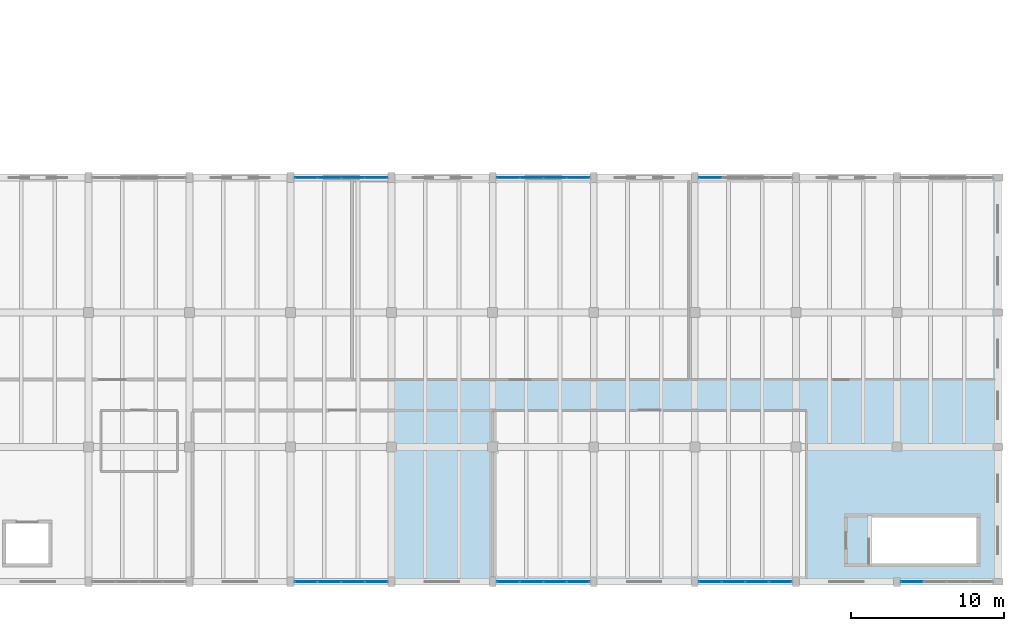
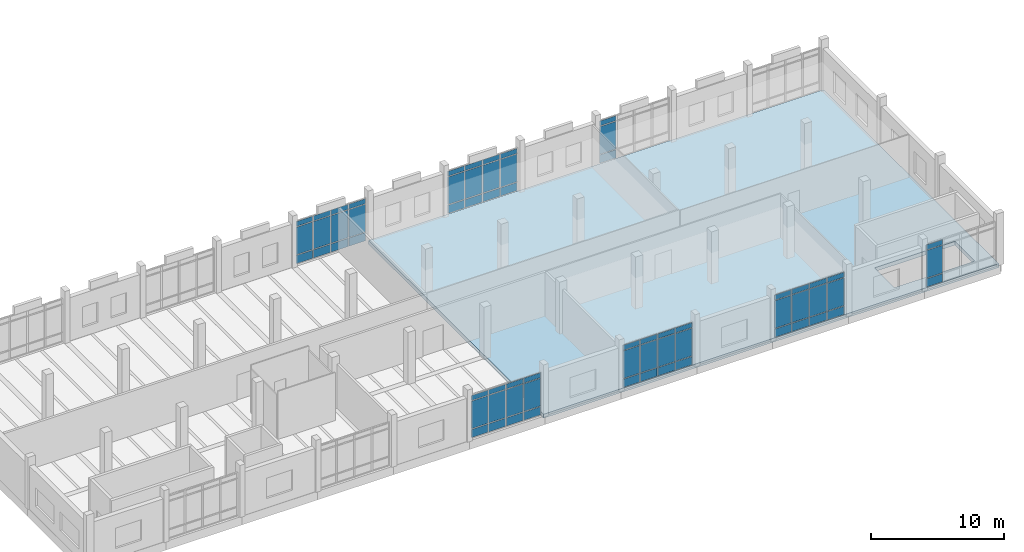
# One storey, part 38 of 76: 66 plates, 1 slab, 7 elements without a shape of their own.
"""IFC4 building model written with IfcOpenShell, lengths in metres."""

from ifc_helpers import new_model, si_unit, direction, frame, origin, origin_2d, place, context, subcontext, project, spatial, polyline, rectangle, outline, extrude, material, layer, layer_set, type_object, element, aggregate, save


model = new_model("IFC4")

# Units and contexts
model_context = context("Model", 3, precision=1e-05, world=origin(), true_north=direction((0.0, 1.0)))
body_context = subcontext(model_context, "Body", "Model", "MODEL_VIEW")
ifc_project = project(units=[si_unit("LENGTHUNIT", "METRE"), si_unit("AREAUNIT", "SQUARE_METRE"), si_unit("VOLUMEUNIT", "CUBIC_METRE"), si_unit("PLANEANGLEUNIT", "RADIAN"), si_unit("MASSUNIT", "GRAM", prefix="KILO")], contexts=[model_context])

# Site, building, storey
site_placement = place(None, origin())
site = spatial("IfcSite", under=ifc_project, at=site_placement, CompositionType="ELEMENT")
building_placement = place(site_placement, origin())
building = spatial("IfcBuilding", under=site, at=building_placement, Name="Dornvale Research Institute", CompositionType="ELEMENT")
storey_placement = place(building_placement, frame((0.0, 0.0, 15.0)))
storey = spatial("IfcBuildingStorey", under=building, at=storey_placement, Name="L03", CompositionType="ELEMENT", Elevation=15.0)

# Curtain wall, plates
ifc_material_1 = material(Name="Low-E Argon Double Insulating Glazing Unit", Category="glass")
curtain_wall_type_1 = type_object("IfcCurtainWallType", Name="UnitisedCurtainWall_V3_6150x4000", PredefinedType="USERDEFINED", material=ifc_material_1)
curtain_wall_1_placement = place(storey_placement, origin())
curtain_wall_1 = element("IfcCurtainWall", 1, at=curtain_wall_1_placement, inside=storey, type_object=curtain_wall_type_1, Name="L03 V3 unitised curtain wall CW-06 #56", ObjectType="UNITISED CURTAIN WALL", PredefinedType="USERDEFINED")
ifc_material_2 = material(Name="Insulated Ceramic-Frit Spandrel Glass Panel", Category="glass")
ifc_layer_1 = layer(ifc_material_2, 0.0419921875)
ifc_layer_set_1 = layer_set([ifc_layer_1], Name="Insulated Ceramic-Frit Spandrel Glass Panel")
plate_type_1 = type_object("IfcPlateType", Name="CurtainPanel_Spandrel_42", PredefinedType="CURTAIN_PANEL", material=ifc_layer_set_1)
plate_1_placement = place(storey_placement, frame((133.010009765625, 26.39990234375, 0.06494140625), z_axis=(0.0, 0.0, 1.0), x_axis=(1.0, 0.0, 0.0)))
plate_1 = element("IfcPlate", 2, at=plate_1_placement, type_object=plate_type_1, Name="CW-06 panel 1.1", PredefinedType="CURTAIN_PANEL", context=body_context, shape_type="SweptSolid", body=[
    extrude(rectangle(XDim=1.43994140625, YDim=0.0419921875, at=origin_2d()), origin(), (0.0, 0.0, 1.0), 0.75244140625),
])
plate_2_placement = place(storey_placement, frame((134.53125, 26.39990234375, 0.06494140625), z_axis=(0.0, 0.0, 1.0), x_axis=(1.0, 0.0, 0.0)))
plate_2 = element("IfcPlate", 3, at=plate_2_placement, type_object=plate_type_1, Name="CW-06 panel 2.1", PredefinedType="CURTAIN_PANEL", context=body_context, shape_type="SweptSolid", body=[
    extrude(rectangle(XDim=1.472412109375, YDim=0.0419921875, at=origin_2d()), origin(), (0.0, 0.0, 1.0), 0.75244140625),
])
plate_3_placement = place(storey_placement, frame((136.06884765625, 26.39990234375, 0.06494140625), z_axis=(0.0, 0.0, 1.0), x_axis=(1.0, 0.0, 0.0)))
plate_3 = element("IfcPlate", 4, at=plate_3_placement, type_object=plate_type_1, Name="CW-06 panel 3.1", PredefinedType="CURTAIN_PANEL", context=body_context, shape_type="SweptSolid", body=[
    extrude(rectangle(XDim=1.472412109375, YDim=0.0419921875, at=origin_2d()), origin(), (0.0, 0.0, 1.0), 0.75244140625),
])
plate_4_placement = place(storey_placement, frame((137.590087890625, 26.39990234375, 0.06494140625), z_axis=(0.0, 0.0, 1.0), x_axis=(1.0, 0.0, 0.0)))
plate_4 = element("IfcPlate", 5, at=plate_4_placement, type_object=plate_type_1, Name="CW-06 panel 4.1", PredefinedType="CURTAIN_PANEL", context=body_context, shape_type="SweptSolid", body=[
    extrude(rectangle(XDim=1.43994140625, YDim=0.0419921875, at=origin_2d()), origin(), (0.0, 0.0, 1.0), 0.75244140625),
])

curtain_wall_2_placement = place(storey_placement, origin())
curtain_wall_2 = element("IfcCurtainWall", 6, at=curtain_wall_2_placement, inside=storey, type_object=curtain_wall_type_1, Name="L03 V3 unitised curtain wall CW-06 #57", ObjectType="UNITISED CURTAIN WALL", PredefinedType="USERDEFINED")
plate_5_placement = place(storey_placement, frame((146.2099609375, 26.39990234375, 0.06494140625), z_axis=(0.0, 0.0, 1.0), x_axis=(1.0, 0.0, 0.0)))
plate_5 = element("IfcPlate", 7, at=plate_5_placement, type_object=plate_type_1, Name="CW-06 panel 1.1", PredefinedType="CURTAIN_PANEL", context=body_context, shape_type="SweptSolid", body=[
    extrude(rectangle(XDim=1.43994140625, YDim=0.0419921875, at=origin_2d()), origin(), (0.0, 0.0, 1.0), 0.75244140625),
])
plate_6_placement = place(storey_placement, frame((147.731201171875, 26.39990234375, 0.06494140625), z_axis=(0.0, 0.0, 1.0), x_axis=(1.0, 0.0, 0.0)))
plate_6 = element("IfcPlate", 8, at=plate_6_placement, type_object=plate_type_1, Name="CW-06 panel 2.1", PredefinedType="CURTAIN_PANEL", context=body_context, shape_type="SweptSolid", body=[
    extrude(rectangle(XDim=1.472412109375, YDim=0.0419921875, at=origin_2d()), origin(), (0.0, 0.0, 1.0), 0.75244140625),
])
plate_7_placement = place(storey_placement, frame((149.268798828125, 26.39990234375, 0.06494140625), z_axis=(0.0, 0.0, 1.0), x_axis=(1.0, 0.0, 0.0)))
plate_7 = element("IfcPlate", 9, at=plate_7_placement, type_object=plate_type_1, Name="CW-06 panel 3.1", PredefinedType="CURTAIN_PANEL", context=body_context, shape_type="SweptSolid", body=[
    extrude(rectangle(XDim=1.472412109375, YDim=0.0419921875, at=origin_2d()), origin(), (0.0, 0.0, 1.0), 0.75244140625),
])
plate_8_placement = place(storey_placement, frame((150.7900390625, 26.39990234375, 0.06494140625), z_axis=(0.0, 0.0, 1.0), x_axis=(1.0, 0.0, 0.0)))
plate_8 = element("IfcPlate", 10, at=plate_8_placement, type_object=plate_type_1, Name="CW-06 panel 4.1", PredefinedType="CURTAIN_PANEL", context=body_context, shape_type="SweptSolid", body=[
    extrude(rectangle(XDim=1.43994140625, YDim=0.0419921875, at=origin_2d()), origin(), (0.0, 0.0, 1.0), 0.75244140625),
])

# Curtain wall, plate
curtain_wall_3_placement = place(storey_placement, origin())
curtain_wall_3 = element("IfcCurtainWall", 11, at=curtain_wall_3_placement, inside=storey, type_object=curtain_wall_type_1, Name="L03 V3 unitised curtain wall CW-06 #58", ObjectType="UNITISED CURTAIN WALL", PredefinedType="USERDEFINED")
plate_9_placement = place(storey_placement, frame((159.409912109375, 26.39990234375, 0.06494140625), z_axis=(0.0, 0.0, 1.0), x_axis=(1.0, 0.0, 0.0)))
plate_9 = element("IfcPlate", 12, at=plate_9_placement, type_object=plate_type_1, Name="CW-06 panel 1.1", PredefinedType="CURTAIN_PANEL", context=body_context, shape_type="SweptSolid", body=[
    extrude(rectangle(XDim=1.43994140625, YDim=0.0419921875, at=origin_2d()), origin(), (0.0, 0.0, 1.0), 0.75244140625),
])

ifc_material_3 = material(Name="Low-E Argon Double Insulating Glazing Unit", Category="glass")
curtain_wall_type_2 = type_object("IfcCurtainWallType", Name="UnitisedCurtainWall_V3_6050x4000", PredefinedType="USERDEFINED", material=ifc_material_3)
curtain_wall_4_placement = place(storey_placement, origin())
curtain_wall_4 = element("IfcCurtainWall", 13, at=curtain_wall_4_placement, inside=storey, type_object=curtain_wall_type_2, Name="L03 V3 unitised curtain wall CW-07 #60", ObjectType="UNITISED CURTAIN WALL", PredefinedType="USERDEFINED")
plate_10_placement = place(storey_placement, frame((172.597412109375, 0.0, 0.06494140625), z_axis=(0.0, 0.0, 1.0), x_axis=(-1.0, 0.0, 0.0)))
plate_10 = element("IfcPlate", 14, at=plate_10_placement, type_object=plate_type_1, Name="CW-07 panel 4.1", PredefinedType="CURTAIN_PANEL", context=body_context, shape_type="SweptSolid", body=[
    extrude(rectangle(XDim=1.4150390625, YDim=0.0419921875, at=origin_2d()), origin(), (0.0, 0.0, 1.0), 0.75244140625),
])

# Curtain wall, plates
curtain_wall_5_placement = place(storey_placement, origin())
curtain_wall_5 = element("IfcCurtainWall", 15, at=curtain_wall_5_placement, inside=storey, type_object=curtain_wall_type_1, Name="L03 V3 unitised curtain wall CW-06 #61", ObjectType="UNITISED CURTAIN WALL", PredefinedType="USERDEFINED")
plate_11_placement = place(storey_placement, frame((163.989990234375, 0.0, 0.06494140625), z_axis=(0.0, 0.0, 1.0), x_axis=(-1.0, 0.0, 0.0)))
plate_11 = element("IfcPlate", 16, at=plate_11_placement, type_object=plate_type_1, Name="CW-06 panel 1.1", PredefinedType="CURTAIN_PANEL", context=body_context, shape_type="SweptSolid", body=[
    extrude(rectangle(XDim=1.43994140625, YDim=0.0419921875, at=origin_2d()), origin(), (0.0, 0.0, 1.0), 0.75244140625),
])
plate_12_placement = place(storey_placement, frame((162.46875, 0.0, 0.06494140625), z_axis=(0.0, 0.0, 1.0), x_axis=(-1.0, 0.0, 0.0)))
plate_12 = element("IfcPlate", 17, at=plate_12_placement, type_object=plate_type_1, Name="CW-06 panel 2.1", PredefinedType="CURTAIN_PANEL", context=body_context, shape_type="SweptSolid", body=[
    extrude(rectangle(XDim=1.472412109375, YDim=0.0419921875, at=origin_2d()), origin(), (0.0, 0.0, 1.0), 0.75244140625),
])
plate_13_placement = place(storey_placement, frame((160.93115234375, 0.0, 0.06494140625), z_axis=(0.0, 0.0, 1.0), x_axis=(-1.0, 0.0, 0.0)))
plate_13 = element("IfcPlate", 18, at=plate_13_placement, type_object=plate_type_1, Name="CW-06 panel 3.1", PredefinedType="CURTAIN_PANEL", context=body_context, shape_type="SweptSolid", body=[
    extrude(rectangle(XDim=1.472412109375, YDim=0.0419921875, at=origin_2d()), origin(), (0.0, 0.0, 1.0), 0.75244140625),
])
plate_14_placement = place(storey_placement, frame((159.409912109375, 0.0, 0.06494140625), z_axis=(0.0, 0.0, 1.0), x_axis=(-1.0, 0.0, 0.0)))
plate_14 = element("IfcPlate", 19, at=plate_14_placement, type_object=plate_type_1, Name="CW-06 panel 4.1", PredefinedType="CURTAIN_PANEL", context=body_context, shape_type="SweptSolid", body=[
    extrude(rectangle(XDim=1.43994140625, YDim=0.0419921875, at=origin_2d()), origin(), (0.0, 0.0, 1.0), 0.75244140625),
])

curtain_wall_6_placement = place(storey_placement, origin())
curtain_wall_6 = element("IfcCurtainWall", 20, at=curtain_wall_6_placement, inside=storey, type_object=curtain_wall_type_1, Name="L03 V3 unitised curtain wall CW-06 #62", ObjectType="UNITISED CURTAIN WALL", PredefinedType="USERDEFINED")
plate_15_placement = place(storey_placement, frame((150.7900390625, 0.0, 0.06494140625), z_axis=(0.0, 0.0, 1.0), x_axis=(-1.0, 0.0, 0.0)))
plate_15 = element("IfcPlate", 21, at=plate_15_placement, type_object=plate_type_1, Name="CW-06 panel 1.1", PredefinedType="CURTAIN_PANEL", context=body_context, shape_type="SweptSolid", body=[
    extrude(rectangle(XDim=1.43994140625, YDim=0.0419921875, at=origin_2d()), origin(), (0.0, 0.0, 1.0), 0.75244140625),
])
plate_16_placement = place(storey_placement, frame((149.268798828125, 0.0, 0.06494140625), z_axis=(0.0, 0.0, 1.0), x_axis=(-1.0, 0.0, 0.0)))
plate_16 = element("IfcPlate", 22, at=plate_16_placement, type_object=plate_type_1, Name="CW-06 panel 2.1", PredefinedType="CURTAIN_PANEL", context=body_context, shape_type="SweptSolid", body=[
    extrude(rectangle(XDim=1.472412109375, YDim=0.0419921875, at=origin_2d()), origin(), (0.0, 0.0, 1.0), 0.75244140625),
])
plate_17_placement = place(storey_placement, frame((147.731201171875, 0.0, 0.06494140625), z_axis=(0.0, 0.0, 1.0), x_axis=(-1.0, 0.0, 0.0)))
plate_17 = element("IfcPlate", 23, at=plate_17_placement, type_object=plate_type_1, Name="CW-06 panel 3.1", PredefinedType="CURTAIN_PANEL", context=body_context, shape_type="SweptSolid", body=[
    extrude(rectangle(XDim=1.472412109375, YDim=0.0419921875, at=origin_2d()), origin(), (0.0, 0.0, 1.0), 0.75244140625),
])
plate_18_placement = place(storey_placement, frame((146.2099609375, 0.0, 0.06494140625), z_axis=(0.0, 0.0, 1.0), x_axis=(-1.0, 0.0, 0.0)))
plate_18 = element("IfcPlate", 24, at=plate_18_placement, type_object=plate_type_1, Name="CW-06 panel 4.1", PredefinedType="CURTAIN_PANEL", context=body_context, shape_type="SweptSolid", body=[
    extrude(rectangle(XDim=1.43994140625, YDim=0.0419921875, at=origin_2d()), origin(), (0.0, 0.0, 1.0), 0.75244140625),
])

curtain_wall_7_placement = place(storey_placement, origin())
curtain_wall_7 = element("IfcCurtainWall", 25, at=curtain_wall_7_placement, inside=storey, type_object=curtain_wall_type_1, Name="L03 V3 unitised curtain wall CW-06 #63", ObjectType="UNITISED CURTAIN WALL", PredefinedType="USERDEFINED")
plate_19_placement = place(storey_placement, frame((137.590087890625, 0.0, 0.06494140625), z_axis=(0.0, 0.0, 1.0), x_axis=(-1.0, 0.0, 0.0)))
plate_19 = element("IfcPlate", 26, at=plate_19_placement, type_object=plate_type_1, Name="CW-06 panel 1.1", PredefinedType="CURTAIN_PANEL", context=body_context, shape_type="SweptSolid", body=[
    extrude(rectangle(XDim=1.43994140625, YDim=0.0419921875, at=origin_2d()), origin(), (0.0, 0.0, 1.0), 0.75244140625),
])
plate_20_placement = place(storey_placement, frame((136.06884765625, 0.0, 0.06494140625), z_axis=(0.0, 0.0, 1.0), x_axis=(-1.0, 0.0, 0.0)))
plate_20 = element("IfcPlate", 27, at=plate_20_placement, type_object=plate_type_1, Name="CW-06 panel 2.1", PredefinedType="CURTAIN_PANEL", context=body_context, shape_type="SweptSolid", body=[
    extrude(rectangle(XDim=1.472412109375, YDim=0.0419921875, at=origin_2d()), origin(), (0.0, 0.0, 1.0), 0.75244140625),
])
plate_21_placement = place(storey_placement, frame((134.53125, 0.0, 0.06494140625), z_axis=(0.0, 0.0, 1.0), x_axis=(-1.0, 0.0, 0.0)))
plate_21 = element("IfcPlate", 28, at=plate_21_placement, type_object=plate_type_1, Name="CW-06 panel 3.1", PredefinedType="CURTAIN_PANEL", context=body_context, shape_type="SweptSolid", body=[
    extrude(rectangle(XDim=1.472412109375, YDim=0.0419921875, at=origin_2d()), origin(), (0.0, 0.0, 1.0), 0.75244140625),
])
plate_22_placement = place(storey_placement, frame((133.010009765625, 0.0, 0.06494140625), z_axis=(0.0, 0.0, 1.0), x_axis=(-1.0, 0.0, 0.0)))
plate_22 = element("IfcPlate", 29, at=plate_22_placement, type_object=plate_type_1, Name="CW-06 panel 4.1", PredefinedType="CURTAIN_PANEL", context=body_context, shape_type="SweptSolid", body=[
    extrude(rectangle(XDim=1.43994140625, YDim=0.0419921875, at=origin_2d()), origin(), (0.0, 0.0, 1.0), 0.75244140625),
])

# Plate
ifc_material_4 = material(Name="Low-E Argon Double Insulating Glazing Unit", Category="glass")
ifc_layer_2 = layer(ifc_material_4, 0.028076171875)
ifc_layer_set_2 = layer_set([ifc_layer_2], Name="Low-E Argon Double Insulating Glazing Unit")
plate_type_2 = type_object("IfcPlateType", Name="CurtainPanel_Vision_28", PredefinedType="CURTAIN_PANEL", material=ifc_layer_set_2)
plate_23_placement = place(storey_placement, frame((133.010009765625, 26.39990234375, 0.88232421875), z_axis=(0.0, 0.0, 1.0), x_axis=(1.0, 0.0, 0.0)))
plate_23 = element("IfcPlate", 30, at=plate_23_placement, type_object=plate_type_2, Name="CW-06 panel 1.2", PredefinedType="CURTAIN_PANEL", context=body_context, shape_type="SweptSolid", body=[
    extrude(rectangle(XDim=1.43994140625, YDim=0.028076171875, at=origin_2d()), origin(), (0.0, 0.0, 1.0), 2.534912109375),
])

plate_24_placement = place(storey_placement, frame((133.010009765625, 26.39990234375, 3.482421875), z_axis=(0.0, 0.0, 1.0), x_axis=(1.0, 0.0, 0.0)))
plate_24 = element("IfcPlate", 31, at=plate_24_placement, type_object=plate_type_2, Name="CW-06 panel 1.3", PredefinedType="CURTAIN_PANEL", context=body_context, shape_type="SweptSolid", body=[
    extrude(rectangle(XDim=1.43994140625, YDim=0.028076171875, at=origin_2d()), origin(), (0.0, 0.0, 1.0), 0.452392578125),
])

plate_25_placement = place(storey_placement, frame((134.53125, 26.39990234375, 0.88232421875), z_axis=(0.0, 0.0, 1.0), x_axis=(1.0, 0.0, 0.0)))
plate_25 = element("IfcPlate", 32, at=plate_25_placement, type_object=plate_type_2, Name="CW-06 panel 2.2", PredefinedType="CURTAIN_PANEL", context=body_context, shape_type="SweptSolid", body=[
    extrude(rectangle(XDim=1.472412109375, YDim=0.028076171875, at=origin_2d()), origin(), (0.0, 0.0, 1.0), 2.534912109375),
])

plate_26_placement = place(storey_placement, frame((134.53125, 26.39990234375, 3.482421875), z_axis=(0.0, 0.0, 1.0), x_axis=(1.0, 0.0, 0.0)))
plate_26 = element("IfcPlate", 33, at=plate_26_placement, type_object=plate_type_2, Name="CW-06 panel 2.3", PredefinedType="CURTAIN_PANEL", context=body_context, shape_type="SweptSolid", body=[
    extrude(rectangle(XDim=1.472412109375, YDim=0.028076171875, at=origin_2d()), origin(), (0.0, 0.0, 1.0), 0.452392578125),
])

plate_27_placement = place(storey_placement, frame((136.06884765625, 26.39990234375, 0.88232421875), z_axis=(0.0, 0.0, 1.0), x_axis=(1.0, 0.0, 0.0)))
plate_27 = element("IfcPlate", 34, at=plate_27_placement, type_object=plate_type_2, Name="CW-06 panel 3.2", PredefinedType="CURTAIN_PANEL", context=body_context, shape_type="SweptSolid", body=[
    extrude(rectangle(XDim=1.472412109375, YDim=0.028076171875, at=origin_2d()), origin(), (0.0, 0.0, 1.0), 2.534912109375),
])

plate_28_placement = place(storey_placement, frame((136.06884765625, 26.39990234375, 3.482421875), z_axis=(0.0, 0.0, 1.0), x_axis=(1.0, 0.0, 0.0)))
plate_28 = element("IfcPlate", 35, at=plate_28_placement, type_object=plate_type_2, Name="CW-06 panel 3.3", PredefinedType="CURTAIN_PANEL", context=body_context, shape_type="SweptSolid", body=[
    extrude(rectangle(XDim=1.472412109375, YDim=0.028076171875, at=origin_2d()), origin(), (0.0, 0.0, 1.0), 0.452392578125),
])

plate_29_placement = place(storey_placement, frame((137.590087890625, 26.39990234375, 0.88232421875), z_axis=(0.0, 0.0, 1.0), x_axis=(1.0, 0.0, 0.0)))
plate_29 = element("IfcPlate", 36, at=plate_29_placement, type_object=plate_type_2, Name="CW-06 panel 4.2", PredefinedType="CURTAIN_PANEL", context=body_context, shape_type="SweptSolid", body=[
    extrude(rectangle(XDim=1.43994140625, YDim=0.028076171875, at=origin_2d()), origin(), (0.0, 0.0, 1.0), 2.534912109375),
])

plate_30_placement = place(storey_placement, frame((137.590087890625, 26.39990234375, 3.482421875), z_axis=(0.0, 0.0, 1.0), x_axis=(1.0, 0.0, 0.0)))
plate_30 = element("IfcPlate", 37, at=plate_30_placement, type_object=plate_type_2, Name="CW-06 panel 4.3", PredefinedType="CURTAIN_PANEL", context=body_context, shape_type="SweptSolid", body=[
    extrude(rectangle(XDim=1.43994140625, YDim=0.028076171875, at=origin_2d()), origin(), (0.0, 0.0, 1.0), 0.452392578125),
])

aggregate(curtain_wall_1, [plate_1, plate_23, plate_24, plate_2, plate_25, plate_26, plate_3, plate_27, plate_28, plate_4, plate_29, plate_30])

plate_31_placement = place(storey_placement, frame((146.2099609375, 26.39990234375, 0.88232421875), z_axis=(0.0, 0.0, 1.0), x_axis=(1.0, 0.0, 0.0)))
plate_31 = element("IfcPlate", 38, at=plate_31_placement, type_object=plate_type_2, Name="CW-06 panel 1.2", PredefinedType="CURTAIN_PANEL", context=body_context, shape_type="SweptSolid", body=[
    extrude(rectangle(XDim=1.43994140625, YDim=0.028076171875, at=origin_2d()), origin(), (0.0, 0.0, 1.0), 2.534912109375),
])

plate_32_placement = place(storey_placement, frame((146.2099609375, 26.39990234375, 3.482421875), z_axis=(0.0, 0.0, 1.0), x_axis=(1.0, 0.0, 0.0)))
plate_32 = element("IfcPlate", 39, at=plate_32_placement, type_object=plate_type_2, Name="CW-06 panel 1.3", PredefinedType="CURTAIN_PANEL", context=body_context, shape_type="SweptSolid", body=[
    extrude(rectangle(XDim=1.43994140625, YDim=0.028076171875, at=origin_2d()), origin(), (0.0, 0.0, 1.0), 0.452392578125),
])

plate_33_placement = place(storey_placement, frame((147.731201171875, 26.39990234375, 0.88232421875), z_axis=(0.0, 0.0, 1.0), x_axis=(1.0, 0.0, 0.0)))
plate_33 = element("IfcPlate", 40, at=plate_33_placement, type_object=plate_type_2, Name="CW-06 panel 2.2", PredefinedType="CURTAIN_PANEL", context=body_context, shape_type="SweptSolid", body=[
    extrude(rectangle(XDim=1.472412109375, YDim=0.028076171875, at=origin_2d()), origin(), (0.0, 0.0, 1.0), 2.534912109375),
])

plate_34_placement = place(storey_placement, frame((147.731201171875, 26.39990234375, 3.482421875), z_axis=(0.0, 0.0, 1.0), x_axis=(1.0, 0.0, 0.0)))
plate_34 = element("IfcPlate", 41, at=plate_34_placement, type_object=plate_type_2, Name="CW-06 panel 2.3", PredefinedType="CURTAIN_PANEL", context=body_context, shape_type="SweptSolid", body=[
    extrude(rectangle(XDim=1.472412109375, YDim=0.028076171875, at=origin_2d()), origin(), (0.0, 0.0, 1.0), 0.452392578125),
])

plate_35_placement = place(storey_placement, frame((149.268798828125, 26.39990234375, 0.88232421875), z_axis=(0.0, 0.0, 1.0), x_axis=(1.0, 0.0, 0.0)))
plate_35 = element("IfcPlate", 42, at=plate_35_placement, type_object=plate_type_2, Name="CW-06 panel 3.2", PredefinedType="CURTAIN_PANEL", context=body_context, shape_type="SweptSolid", body=[
    extrude(rectangle(XDim=1.472412109375, YDim=0.028076171875, at=origin_2d()), origin(), (0.0, 0.0, 1.0), 2.534912109375),
])

plate_36_placement = place(storey_placement, frame((149.268798828125, 26.39990234375, 3.482421875), z_axis=(0.0, 0.0, 1.0), x_axis=(1.0, 0.0, 0.0)))
plate_36 = element("IfcPlate", 43, at=plate_36_placement, type_object=plate_type_2, Name="CW-06 panel 3.3", PredefinedType="CURTAIN_PANEL", context=body_context, shape_type="SweptSolid", body=[
    extrude(rectangle(XDim=1.472412109375, YDim=0.028076171875, at=origin_2d()), origin(), (0.0, 0.0, 1.0), 0.452392578125),
])

plate_37_placement = place(storey_placement, frame((150.7900390625, 26.39990234375, 0.88232421875), z_axis=(0.0, 0.0, 1.0), x_axis=(1.0, 0.0, 0.0)))
plate_37 = element("IfcPlate", 44, at=plate_37_placement, type_object=plate_type_2, Name="CW-06 panel 4.2", PredefinedType="CURTAIN_PANEL", context=body_context, shape_type="SweptSolid", body=[
    extrude(rectangle(XDim=1.43994140625, YDim=0.028076171875, at=origin_2d()), origin(), (0.0, 0.0, 1.0), 2.534912109375),
])

plate_38_placement = place(storey_placement, frame((150.7900390625, 26.39990234375, 3.482421875), z_axis=(0.0, 0.0, 1.0), x_axis=(1.0, 0.0, 0.0)))
plate_38 = element("IfcPlate", 45, at=plate_38_placement, type_object=plate_type_2, Name="CW-06 panel 4.3", PredefinedType="CURTAIN_PANEL", context=body_context, shape_type="SweptSolid", body=[
    extrude(rectangle(XDim=1.43994140625, YDim=0.028076171875, at=origin_2d()), origin(), (0.0, 0.0, 1.0), 0.452392578125),
])

aggregate(curtain_wall_2, [plate_5, plate_31, plate_32, plate_6, plate_33, plate_34, plate_7, plate_35, plate_36, plate_8, plate_37, plate_38])

plate_39_placement = place(storey_placement, frame((159.409912109375, 26.39990234375, 0.88232421875), z_axis=(0.0, 0.0, 1.0), x_axis=(1.0, 0.0, 0.0)))
plate_39 = element("IfcPlate", 46, at=plate_39_placement, type_object=plate_type_2, Name="CW-06 panel 1.2", PredefinedType="CURTAIN_PANEL", context=body_context, shape_type="SweptSolid", body=[
    extrude(rectangle(XDim=1.43994140625, YDim=0.028076171875, at=origin_2d()), origin(), (0.0, 0.0, 1.0), 2.534912109375),
])

plate_40_placement = place(storey_placement, frame((159.409912109375, 26.39990234375, 3.482421875), z_axis=(0.0, 0.0, 1.0), x_axis=(1.0, 0.0, 0.0)))
plate_40 = element("IfcPlate", 47, at=plate_40_placement, type_object=plate_type_2, Name="CW-06 panel 1.3", PredefinedType="CURTAIN_PANEL", context=body_context, shape_type="SweptSolid", body=[
    extrude(rectangle(XDim=1.43994140625, YDim=0.028076171875, at=origin_2d()), origin(), (0.0, 0.0, 1.0), 0.452392578125),
])

aggregate(curtain_wall_3, [plate_9, plate_39, plate_40])

plate_41_placement = place(storey_placement, frame((172.597412109375, 0.0, 0.88232421875), z_axis=(0.0, 0.0, 1.0), x_axis=(-1.0, 0.0, 0.0)))
plate_41 = element("IfcPlate", 48, at=plate_41_placement, type_object=plate_type_2, Name="CW-07 panel 4.2", PredefinedType="CURTAIN_PANEL", context=body_context, shape_type="SweptSolid", body=[
    extrude(rectangle(XDim=1.4150390625, YDim=0.028076171875, at=origin_2d()), origin(), (0.0, 0.0, 1.0), 2.534912109375),
])

plate_42_placement = place(storey_placement, frame((172.597412109375, 0.0, 3.482421875), z_axis=(0.0, 0.0, 1.0), x_axis=(-1.0, 0.0, 0.0)))
plate_42 = element("IfcPlate", 49, at=plate_42_placement, type_object=plate_type_2, Name="CW-07 panel 4.3", PredefinedType="CURTAIN_PANEL", context=body_context, shape_type="SweptSolid", body=[
    extrude(rectangle(XDim=1.4150390625, YDim=0.028076171875, at=origin_2d()), origin(), (0.0, 0.0, 1.0), 0.452392578125),
])

aggregate(curtain_wall_4, [plate_10, plate_41, plate_42])

plate_43_placement = place(storey_placement, frame((163.989990234375, 0.0, 0.88232421875), z_axis=(0.0, 0.0, 1.0), x_axis=(-1.0, 0.0, 0.0)))
plate_43 = element("IfcPlate", 50, at=plate_43_placement, type_object=plate_type_2, Name="CW-06 panel 1.2", PredefinedType="CURTAIN_PANEL", context=body_context, shape_type="SweptSolid", body=[
    extrude(rectangle(XDim=1.43994140625, YDim=0.028076171875, at=origin_2d()), origin(), (0.0, 0.0, 1.0), 2.534912109375),
])

plate_44_placement = place(storey_placement, frame((163.989990234375, 0.0, 3.482421875), z_axis=(0.0, 0.0, 1.0), x_axis=(-1.0, 0.0, 0.0)))
plate_44 = element("IfcPlate", 51, at=plate_44_placement, type_object=plate_type_2, Name="CW-06 panel 1.3", PredefinedType="CURTAIN_PANEL", context=body_context, shape_type="SweptSolid", body=[
    extrude(rectangle(XDim=1.43994140625, YDim=0.028076171875, at=origin_2d()), origin(), (0.0, 0.0, 1.0), 0.452392578125),
])

plate_45_placement = place(storey_placement, frame((162.46875, 0.0, 0.88232421875), z_axis=(0.0, 0.0, 1.0), x_axis=(-1.0, 0.0, 0.0)))
plate_45 = element("IfcPlate", 52, at=plate_45_placement, type_object=plate_type_2, Name="CW-06 panel 2.2", PredefinedType="CURTAIN_PANEL", context=body_context, shape_type="SweptSolid", body=[
    extrude(rectangle(XDim=1.472412109375, YDim=0.028076171875, at=origin_2d()), origin(), (0.0, 0.0, 1.0), 2.534912109375),
])

plate_46_placement = place(storey_placement, frame((162.46875, 0.0, 3.482421875), z_axis=(0.0, 0.0, 1.0), x_axis=(-1.0, 0.0, 0.0)))
plate_46 = element("IfcPlate", 53, at=plate_46_placement, type_object=plate_type_2, Name="CW-06 panel 2.3", PredefinedType="CURTAIN_PANEL", context=body_context, shape_type="SweptSolid", body=[
    extrude(rectangle(XDim=1.472412109375, YDim=0.028076171875, at=origin_2d()), origin(), (0.0, 0.0, 1.0), 0.452392578125),
])

plate_47_placement = place(storey_placement, frame((160.93115234375, 0.0, 0.88232421875), z_axis=(0.0, 0.0, 1.0), x_axis=(-1.0, 0.0, 0.0)))
plate_47 = element("IfcPlate", 54, at=plate_47_placement, type_object=plate_type_2, Name="CW-06 panel 3.2", PredefinedType="CURTAIN_PANEL", context=body_context, shape_type="SweptSolid", body=[
    extrude(rectangle(XDim=1.472412109375, YDim=0.028076171875, at=origin_2d()), origin(), (0.0, 0.0, 1.0), 2.534912109375),
])

plate_48_placement = place(storey_placement, frame((160.93115234375, 0.0, 3.482421875), z_axis=(0.0, 0.0, 1.0), x_axis=(-1.0, 0.0, 0.0)))
plate_48 = element("IfcPlate", 55, at=plate_48_placement, type_object=plate_type_2, Name="CW-06 panel 3.3", PredefinedType="CURTAIN_PANEL", context=body_context, shape_type="SweptSolid", body=[
    extrude(rectangle(XDim=1.472412109375, YDim=0.028076171875, at=origin_2d()), origin(), (0.0, 0.0, 1.0), 0.452392578125),
])

plate_49_placement = place(storey_placement, frame((159.409912109375, 0.0, 0.88232421875), z_axis=(0.0, 0.0, 1.0), x_axis=(-1.0, 0.0, 0.0)))
plate_49 = element("IfcPlate", 56, at=plate_49_placement, type_object=plate_type_2, Name="CW-06 panel 4.2", PredefinedType="CURTAIN_PANEL", context=body_context, shape_type="SweptSolid", body=[
    extrude(rectangle(XDim=1.43994140625, YDim=0.028076171875, at=origin_2d()), origin(), (0.0, 0.0, 1.0), 2.534912109375),
])

plate_50_placement = place(storey_placement, frame((159.409912109375, 0.0, 3.482421875), z_axis=(0.0, 0.0, 1.0), x_axis=(-1.0, 0.0, 0.0)))
plate_50 = element("IfcPlate", 57, at=plate_50_placement, type_object=plate_type_2, Name="CW-06 panel 4.3", PredefinedType="CURTAIN_PANEL", context=body_context, shape_type="SweptSolid", body=[
    extrude(rectangle(XDim=1.43994140625, YDim=0.028076171875, at=origin_2d()), origin(), (0.0, 0.0, 1.0), 0.452392578125),
])

aggregate(curtain_wall_5, [plate_11, plate_43, plate_44, plate_12, plate_45, plate_46, plate_13, plate_47, plate_48, plate_14, plate_49, plate_50])

plate_51_placement = place(storey_placement, frame((150.7900390625, 0.0, 0.88232421875), z_axis=(0.0, 0.0, 1.0), x_axis=(-1.0, 0.0, 0.0)))
plate_51 = element("IfcPlate", 58, at=plate_51_placement, type_object=plate_type_2, Name="CW-06 panel 1.2", PredefinedType="CURTAIN_PANEL", context=body_context, shape_type="SweptSolid", body=[
    extrude(rectangle(XDim=1.43994140625, YDim=0.028076171875, at=origin_2d()), origin(), (0.0, 0.0, 1.0), 2.534912109375),
])

plate_52_placement = place(storey_placement, frame((150.7900390625, 0.0, 3.482421875), z_axis=(0.0, 0.0, 1.0), x_axis=(-1.0, 0.0, 0.0)))
plate_52 = element("IfcPlate", 59, at=plate_52_placement, type_object=plate_type_2, Name="CW-06 panel 1.3", PredefinedType="CURTAIN_PANEL", context=body_context, shape_type="SweptSolid", body=[
    extrude(rectangle(XDim=1.43994140625, YDim=0.028076171875, at=origin_2d()), origin(), (0.0, 0.0, 1.0), 0.452392578125),
])

plate_53_placement = place(storey_placement, frame((149.268798828125, 0.0, 0.88232421875), z_axis=(0.0, 0.0, 1.0), x_axis=(-1.0, 0.0, 0.0)))
plate_53 = element("IfcPlate", 60, at=plate_53_placement, type_object=plate_type_2, Name="CW-06 panel 2.2", PredefinedType="CURTAIN_PANEL", context=body_context, shape_type="SweptSolid", body=[
    extrude(rectangle(XDim=1.472412109375, YDim=0.028076171875, at=origin_2d()), origin(), (0.0, 0.0, 1.0), 2.534912109375),
])

plate_54_placement = place(storey_placement, frame((149.268798828125, 0.0, 3.482421875), z_axis=(0.0, 0.0, 1.0), x_axis=(-1.0, 0.0, 0.0)))
plate_54 = element("IfcPlate", 61, at=plate_54_placement, type_object=plate_type_2, Name="CW-06 panel 2.3", PredefinedType="CURTAIN_PANEL", context=body_context, shape_type="SweptSolid", body=[
    extrude(rectangle(XDim=1.472412109375, YDim=0.028076171875, at=origin_2d()), origin(), (0.0, 0.0, 1.0), 0.452392578125),
])

plate_55_placement = place(storey_placement, frame((147.731201171875, 0.0, 0.88232421875), z_axis=(0.0, 0.0, 1.0), x_axis=(-1.0, 0.0, 0.0)))
plate_55 = element("IfcPlate", 62, at=plate_55_placement, type_object=plate_type_2, Name="CW-06 panel 3.2", PredefinedType="CURTAIN_PANEL", context=body_context, shape_type="SweptSolid", body=[
    extrude(rectangle(XDim=1.472412109375, YDim=0.028076171875, at=origin_2d()), origin(), (0.0, 0.0, 1.0), 2.534912109375),
])

plate_56_placement = place(storey_placement, frame((147.731201171875, 0.0, 3.482421875), z_axis=(0.0, 0.0, 1.0), x_axis=(-1.0, 0.0, 0.0)))
plate_56 = element("IfcPlate", 63, at=plate_56_placement, type_object=plate_type_2, Name="CW-06 panel 3.3", PredefinedType="CURTAIN_PANEL", context=body_context, shape_type="SweptSolid", body=[
    extrude(rectangle(XDim=1.472412109375, YDim=0.028076171875, at=origin_2d()), origin(), (0.0, 0.0, 1.0), 0.452392578125),
])

plate_57_placement = place(storey_placement, frame((146.2099609375, 0.0, 0.88232421875), z_axis=(0.0, 0.0, 1.0), x_axis=(-1.0, 0.0, 0.0)))
plate_57 = element("IfcPlate", 64, at=plate_57_placement, type_object=plate_type_2, Name="CW-06 panel 4.2", PredefinedType="CURTAIN_PANEL", context=body_context, shape_type="SweptSolid", body=[
    extrude(rectangle(XDim=1.43994140625, YDim=0.028076171875, at=origin_2d()), origin(), (0.0, 0.0, 1.0), 2.534912109375),
])

plate_58_placement = place(storey_placement, frame((146.2099609375, 0.0, 3.482421875), z_axis=(0.0, 0.0, 1.0), x_axis=(-1.0, 0.0, 0.0)))
plate_58 = element("IfcPlate", 65, at=plate_58_placement, type_object=plate_type_2, Name="CW-06 panel 4.3", PredefinedType="CURTAIN_PANEL", context=body_context, shape_type="SweptSolid", body=[
    extrude(rectangle(XDim=1.43994140625, YDim=0.028076171875, at=origin_2d()), origin(), (0.0, 0.0, 1.0), 0.452392578125),
])

aggregate(curtain_wall_6, [plate_15, plate_51, plate_52, plate_16, plate_53, plate_54, plate_17, plate_55, plate_56, plate_18, plate_57, plate_58])

plate_59_placement = place(storey_placement, frame((137.590087890625, 0.0, 0.88232421875), z_axis=(0.0, 0.0, 1.0), x_axis=(-1.0, 0.0, 0.0)))
plate_59 = element("IfcPlate", 66, at=plate_59_placement, type_object=plate_type_2, Name="CW-06 panel 1.2", PredefinedType="CURTAIN_PANEL", context=body_context, shape_type="SweptSolid", body=[
    extrude(rectangle(XDim=1.43994140625, YDim=0.028076171875, at=origin_2d()), origin(), (0.0, 0.0, 1.0), 2.534912109375),
])

plate_60_placement = place(storey_placement, frame((137.590087890625, 0.0, 3.482421875), z_axis=(0.0, 0.0, 1.0), x_axis=(-1.0, 0.0, 0.0)))
plate_60 = element("IfcPlate", 67, at=plate_60_placement, type_object=plate_type_2, Name="CW-06 panel 1.3", PredefinedType="CURTAIN_PANEL", context=body_context, shape_type="SweptSolid", body=[
    extrude(rectangle(XDim=1.43994140625, YDim=0.028076171875, at=origin_2d()), origin(), (0.0, 0.0, 1.0), 0.452392578125),
])

plate_61_placement = place(storey_placement, frame((136.06884765625, 0.0, 0.88232421875), z_axis=(0.0, 0.0, 1.0), x_axis=(-1.0, 0.0, 0.0)))
plate_61 = element("IfcPlate", 68, at=plate_61_placement, type_object=plate_type_2, Name="CW-06 panel 2.2", PredefinedType="CURTAIN_PANEL", context=body_context, shape_type="SweptSolid", body=[
    extrude(rectangle(XDim=1.472412109375, YDim=0.028076171875, at=origin_2d()), origin(), (0.0, 0.0, 1.0), 2.534912109375),
])

plate_62_placement = place(storey_placement, frame((136.06884765625, 0.0, 3.482421875), z_axis=(0.0, 0.0, 1.0), x_axis=(-1.0, 0.0, 0.0)))
plate_62 = element("IfcPlate", 69, at=plate_62_placement, type_object=plate_type_2, Name="CW-06 panel 2.3", PredefinedType="CURTAIN_PANEL", context=body_context, shape_type="SweptSolid", body=[
    extrude(rectangle(XDim=1.472412109375, YDim=0.028076171875, at=origin_2d()), origin(), (0.0, 0.0, 1.0), 0.452392578125),
])

plate_63_placement = place(storey_placement, frame((134.53125, 0.0, 0.88232421875), z_axis=(0.0, 0.0, 1.0), x_axis=(-1.0, 0.0, 0.0)))
plate_63 = element("IfcPlate", 70, at=plate_63_placement, type_object=plate_type_2, Name="CW-06 panel 3.2", PredefinedType="CURTAIN_PANEL", context=body_context, shape_type="SweptSolid", body=[
    extrude(rectangle(XDim=1.472412109375, YDim=0.028076171875, at=origin_2d()), origin(), (0.0, 0.0, 1.0), 2.534912109375),
])

plate_64_placement = place(storey_placement, frame((134.53125, 0.0, 3.482421875), z_axis=(0.0, 0.0, 1.0), x_axis=(-1.0, 0.0, 0.0)))
plate_64 = element("IfcPlate", 71, at=plate_64_placement, type_object=plate_type_2, Name="CW-06 panel 3.3", PredefinedType="CURTAIN_PANEL", context=body_context, shape_type="SweptSolid", body=[
    extrude(rectangle(XDim=1.472412109375, YDim=0.028076171875, at=origin_2d()), origin(), (0.0, 0.0, 1.0), 0.452392578125),
])

plate_65_placement = place(storey_placement, frame((133.010009765625, 0.0, 0.88232421875), z_axis=(0.0, 0.0, 1.0), x_axis=(-1.0, 0.0, 0.0)))
plate_65 = element("IfcPlate", 72, at=plate_65_placement, type_object=plate_type_2, Name="CW-06 panel 4.2", PredefinedType="CURTAIN_PANEL", context=body_context, shape_type="SweptSolid", body=[
    extrude(rectangle(XDim=1.43994140625, YDim=0.028076171875, at=origin_2d()), origin(), (0.0, 0.0, 1.0), 2.534912109375),
])

plate_66_placement = place(storey_placement, frame((133.010009765625, 0.0, 3.482421875), z_axis=(0.0, 0.0, 1.0), x_axis=(-1.0, 0.0, 0.0)))
plate_66 = element("IfcPlate", 73, at=plate_66_placement, type_object=plate_type_2, Name="CW-06 panel 4.3", PredefinedType="CURTAIN_PANEL", context=body_context, shape_type="SweptSolid", body=[
    extrude(rectangle(XDim=1.43994140625, YDim=0.028076171875, at=origin_2d()), origin(), (0.0, 0.0, 1.0), 0.452392578125),
])

aggregate(curtain_wall_7, [plate_19, plate_59, plate_60, plate_20, plate_61, plate_62, plate_21, plate_63, plate_64, plate_22, plate_65, plate_66])

# Slab
ifc_material_5 = material(Name="Concrete f'c 45 MPa (C35/45)", Category="concrete")
ifc_layer_3 = layer(ifc_material_5, 0.360107421875)
ifc_layer_set_3 = layer_set([ifc_layer_3], Name="Concrete f'c 45 MPa (C35/45)")
slab_type = type_object("IfcSlabType", Name="FloorSlab_Cleanroom_360", PredefinedType="FLOOR", material=ifc_layer_set_3)
slab_placement = place(storey_placement, frame((0.0, 0.0, -0.360107421875)))
element("IfcSlab", 74, at=slab_placement, inside=storey, type_object=slab_type, Name="L03 V3 E floor slab", PredefinedType="FLOOR", context=body_context, shape_type="SweptSolid", body=[
    extrude(outline(polyline([(178.199951171875, 26.39990234375), (178.199951171875, 0.0), (138.60009765625, 0.0), (138.60009765625, 26.39990234375), (178.199951171875, 26.39990234375)]), holes=[polyline([(169.820068359375, 1.199951171875), (176.800048828125, 1.199951171875), (176.800048828125, 4.199951171875), (169.820068359375, 4.199951171875), (169.820068359375, 1.199951171875)])]), origin(), (0.0, 0.0, 1.0), 0.360107421875),
])

save(model, "model.ifc")
